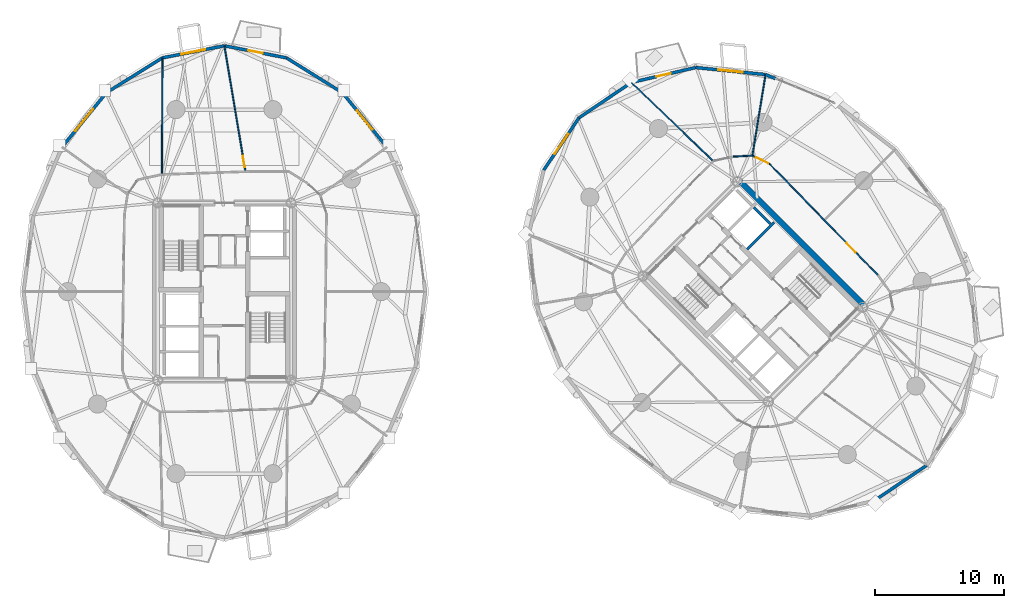
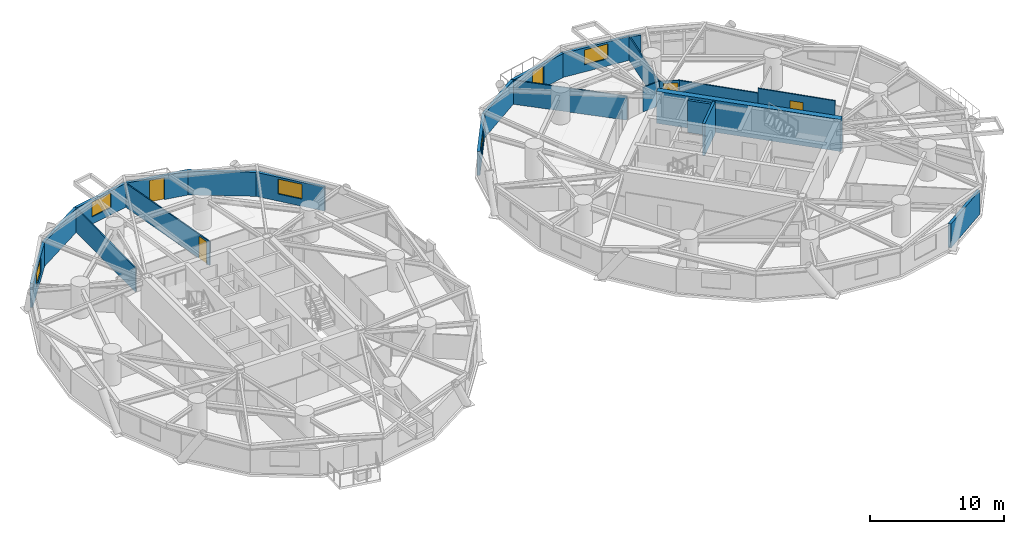
# One storey, part 14 of 18: 23 walls, 5 doors, 5 windows, 10 openings.
"""IFC4 building model written with IfcOpenShell, lengths in metres."""

from ifc_helpers import new_model, si_unit, direction, frame, frame_2d, origin, place, context, subcontext, project, spatial, rectangle, extrude, source, transform, mapped, material, layer, layer_set, type_object, element, fill, save


model = new_model("IFC4")

# Units and contexts
model_context = context("Model", 3, precision=1e-05, world=origin(), true_north=direction((0.0, 1.0)))
body_context = subcontext(model_context, "Body", "Model", "MODEL_VIEW")
ifc_project = project(units=[si_unit("LENGTHUNIT", "METRE"), si_unit("AREAUNIT", "SQUARE_METRE"), si_unit("VOLUMEUNIT", "CUBIC_METRE"), si_unit("PLANEANGLEUNIT", "RADIAN"), si_unit("MASSUNIT", "GRAM", prefix="KILO")], contexts=[model_context])

# Site, building, storey
site_placement = place(None, origin())
site = spatial("IfcSite", under=ifc_project, at=site_placement, CompositionType="ELEMENT")
building_placement = place(site_placement, origin())
building = spatial("IfcBuilding", under=site, at=building_placement, Name="Cununo Teusaquillo Station Towers", CompositionType="ELEMENT")
storey_placement = place(building_placement, frame((0.0, 0.0, 102.159912109375)))
storey = spatial("IfcBuildingStorey", under=building, at=storey_placement, Name="L32", CompositionType="ELEMENT", Elevation=102.159912109375)

# Walls
ifc_material_1 = material(Name="Concrete C50/60", Category="concrete")
ifc_layer_1 = layer(ifc_material_1, 0.199951171875)
ifc_layer_set_1 = layer_set([ifc_layer_1], Name="Concrete C50/60")
wall_type_1 = type_object("IfcWallType", Name="WL-CORE-200", PredefinedType="SHEAR", material=ifc_layer_set_1)
wall_1_placement = place(storey_placement, frame((57.0615234375, 27.781005859375, 0.0), z_axis=(0.0, 0.0, 1.0), x_axis=(0.707106781187, 0.707106781187, 0.0)))
element("IfcWall", 1, at=wall_1_placement, inside=storey, type_object=wall_type_1, Name="L32 Tower B Low-Rise Lift Hoistway South Shear Wall", PredefinedType="SHEAR", context=body_context, shape_type="SweptSolid", body=[
    extrude(rectangle(XDim=2.969970703125, YDim=0.199951171875, at=frame_2d((1.48486328125, 0.0))), origin(), (0.0, 0.0, 1.0), 2.91015625),
])
wall_2_placement = place(storey_placement, frame((58.86474609375, 29.75390625, 0.0), z_axis=(0.0, 0.0, 1.0), x_axis=(-0.707174411312, 0.707039144592, 0.0)))
element("IfcWall", 2, at=wall_2_placement, inside=storey, type_object=wall_type_1, Name="L32 Tower B Low-Rise Lift 1 Shaft Rear Shear Wall", PredefinedType="SHEAR", context=body_context, shape_type="SweptSolid", body=[
    extrude(rectangle(XDim=1.804931640625, YDim=0.199951171875, at=frame_2d((0.90234375, 0.0))), origin(), (0.0, 0.0, 1.0), 2.91015625),
])
ifc_material_2 = material(Name="Concrete C60/75", Category="concrete")
ifc_layer_2 = layer(ifc_material_2, 0.449951171875)
ifc_layer_set_2 = layer_set([ifc_layer_2], Name="Concrete C60/75")
wall_type_2 = type_object("IfcWallType", Name="WL-CORE-450", PredefinedType="SHEAR", material=ifc_layer_set_2)
wall_3_placement = place(storey_placement, frame((66.303466796875, 23.2626953125, 0.0), z_axis=(0.0, 0.0, 1.0), x_axis=(-0.707106781187, 0.707106781187, 0.0)))
element("IfcWall", 3, at=wall_3_placement, inside=storey, type_object=wall_type_2, Name="L32 Tower B Core Shear Wall E", PredefinedType="SHEAR", context=body_context, shape_type="SweptSolid", body=[
    extrude(rectangle(XDim=14.19970703125, YDim=0.449951171875, at=frame_2d((7.099853515625, 0.0))), origin(), (0.0, 0.0, 1.0), 2.91015625),
])

# Wall, opening, window
ifc_material_3 = material(Name="Precast concrete C40/50", Category="concrete")
ifc_layer_3 = layer(ifc_material_3, 0.239990234375)
ifc_layer_set_3 = layer_set([ifc_layer_3], Name="Precast concrete C40/50")
wall_type_3 = type_object("IfcWallType", Name="WL-EXT-240", PredefinedType="SOLIDWALL", material=ifc_layer_set_3)
wall_4_placement = place(storey_placement, frame((25.658203125, 39.927978515625, 0.0), z_axis=(0.0, 0.0, 1.0), x_axis=(0.632700781152, -0.77439635945, 0.0)))
wall_4 = element("IfcWall", 4, at=wall_4_placement, inside=storey, type_object=wall_type_3, Name="L32 Tower A Exterior Facade Wall C02", PredefinedType="SOLIDWALL", context=body_context, shape_type="SweptSolid", body=[
    extrude(rectangle(XDim=5.447998046875, YDim=0.239990234375, at=frame_2d((2.72412109375, 0.0))), origin(), (0.0, 0.0, 1.0), 2.17919921875),
])
shared_shape_1 = source(origin(), body_context, "Body", "SweptSolid", [
    extrude(rectangle(XDim=1.89990234375, YDim=1.35009765625, at=frame_2d((0.949951171875, 0.675048828125))), frame((0.0, 0.1298828125, 0.0), z_axis=(0.0, -1.0, 0.0), x_axis=(1.0, 0.0, 0.0)), (0.0, 0.0, 1.0), 0.260009765625),
])
opening_1_placement = place(wall_4_placement, frame((1.77392578125, 0.0, 0.64990234375)))
opening_1 = element("IfcOpeningElement", 5, at=opening_1_placement, cuts=wall_4, Name="Opening WN-02", PredefinedType="OPENING", context=body_context, shape_type="MappedRepresentation", body=[
    mapped(shared_shape_1, transform((0.0, 0.0, 0.0), x_axis=(1.0, 0.0, 0.0), y_axis=(0.0, 1.0, 0.0), z_axis=(0.0, 0.0, 1.0), scale=1.0)),
])
ifc_material_4 = material(Name="Operable acoustic tinted low-E double glazing", Category="glass")
window_type_1 = type_object("IfcWindowType", Name="WIN-OPER-1900", PartitioningType="DOUBLE_PANEL_VERTICAL", PredefinedType="WINDOW", material=ifc_material_4)
shared_shape_2 = source(origin(), body_context, "Body", "SweptSolid", [
    extrude(rectangle(XDim=1.89990234375, YDim=1.35009765625, at=frame_2d((0.949951171875, 0.675048828125))), frame((0.0, 0.030029296875, 0.0), z_axis=(0.0, -1.0, 0.0), x_axis=(1.0, 0.0, 0.0)), (0.0, 0.0, 1.0), 0.06005859375),
])
window_1_placement = place(opening_1_placement, origin())
window_1 = element("IfcWindow", 6, at=window_1_placement, inside=storey, type_object=window_type_1, Name="L32 Tower A Facade Window C02", OverallHeight=1.35009765625, OverallWidth=1.89990234375, PartitioningType="DOUBLE_PANEL_VERTICAL", PredefinedType="WINDOW", context=body_context, shape_type="MappedRepresentation", body=[
    mapped(shared_shape_2, transform((0.0, 0.0, 0.0), x_axis=(1.0, 0.0, 0.0), y_axis=(0.0, 1.0, 0.0), z_axis=(0.0, 0.0, 1.0), scale=1.0)),
])
fill(opening_1, window_1)

# Wall
wall_5_placement = place(storey_placement, frame((21.314697265625, 42.63671875, 0.0), z_axis=(0.0, 0.0, 1.0), x_axis=(0.848520380187, -0.529162701263, 0.0)))
element("IfcWall", 7, at=wall_5_placement, inside=storey, type_object=wall_type_3, Name="L32 Tower A Exterior Facade Wall C03", PredefinedType="SOLIDWALL", context=body_context, shape_type="SweptSolid", body=[
    extrude(rectangle(XDim=5.118896484375, YDim=0.239990234375, at=frame_2d((2.5595703125, 0.0))), origin(), (0.0, 0.0, 1.0), 2.17919921875),
])

# Wall, opening, door
wall_6_placement = place(storey_placement, frame((16.5, 43.570068359375, 0.0), z_axis=(0.0, 0.0, 1.0), x_axis=(0.981723785992, -0.190311344954, 0.0)))
wall_6 = element("IfcWall", 8, at=wall_6_placement, inside=storey, type_object=wall_type_3, Name="L32 Tower A Exterior Facade Wall C04", PredefinedType="SOLIDWALL", context=body_context, shape_type="SweptSolid", body=[
    extrude(rectangle(XDim=4.904296875, YDim=0.239990234375, at=frame_2d((2.4521484375, 0.0))), origin(), (0.0, 0.0, 1.0), 2.17919921875),
])
shared_shape_3 = source(origin(), body_context, "Body", "SweptSolid", [
    extrude(rectangle(XDim=1.14990234375, YDim=2.0048828125, at=frame_2d((0.574951171875, 1.00244140625))), frame((0.0, 0.1298828125, 0.0), z_axis=(0.0, -1.0, 0.0), x_axis=(1.0, 0.0, 0.0)), (0.0, 0.0, 1.0), 0.260009765625),
])
opening_2_placement = place(wall_6_placement, frame((1.876953125, 0.0, 0.0)))
opening_2 = element("IfcOpeningElement", 9, at=opening_2_placement, cuts=wall_6, Name="Opening ED-03", PredefinedType="OPENING", context=body_context, shape_type="MappedRepresentation", body=[
    mapped(shared_shape_3, transform((0.0, 0.0, 0.0), x_axis=(1.0, 0.0, 0.0), y_axis=(0.0, 1.0, 0.0), z_axis=(0.0, 0.0, 1.0), scale=1.0)),
])
ifc_material_5 = material(Name="Anodised dark bronze aluminium EN AW-6063-T6", Category="aluminium")
door_type_1 = type_object("IfcDoorType", Name="DR-EXT-BAL", OperationType="NOTDEFINED", PredefinedType="DOOR", material=ifc_material_5)
shared_shape_4 = source(origin(), body_context, "Body", "SweptSolid", [
    extrude(rectangle(XDim=1.14990234375, YDim=2.0048828125, at=frame_2d((0.574951171875, 1.00244140625))), frame((0.0, 0.02490234375, 0.0), z_axis=(0.0, -1.0, 0.0), x_axis=(1.0, 0.0, 0.0)), (0.0, 0.0, 1.0), 0.050048828125),
])
door_1_placement = place(opening_2_placement, origin())
door_1 = element("IfcDoor", 10, at=door_1_placement, inside=storey, type_object=door_type_1, Name="L32 Tower A Tree Balcony Door C04", OperationType="SINGLE_SWING_LEFT", OverallHeight=2.0048828125, OverallWidth=1.14990234375, PredefinedType="DOOR", context=body_context, shape_type="MappedRepresentation", body=[
    mapped(shared_shape_4, transform((0.0, 0.0, 0.0), x_axis=(1.0, 0.0, 0.0), y_axis=(0.0, 1.0, 0.0), z_axis=(0.0, 0.0, 1.0), scale=1.0)),
])
fill(opening_2, door_1)

# Wall, opening, window
wall_7_placement = place(storey_placement, frame((11.685302734375, 42.63671875, 0.0), z_axis=(0.0, 0.0, 1.0), x_axis=(0.981723785992, 0.190311344954, 0.0)))
wall_7 = element("IfcWall", 11, at=wall_7_placement, inside=storey, type_object=wall_type_3, Name="L32 Tower A Exterior Facade Wall C05", PredefinedType="SOLIDWALL", context=body_context, shape_type="SweptSolid", body=[
    extrude(rectangle(XDim=4.904296875, YDim=0.239990234375, at=frame_2d((2.4521484375, 0.0))), origin(), (0.0, 0.0, 1.0), 2.17919921875),
])
opening_3_placement = place(wall_7_placement, frame((1.501953125, 0.0, 0.64990234375)))
opening_3 = element("IfcOpeningElement", 12, at=opening_3_placement, cuts=wall_7, Name="Opening WN-02", PredefinedType="OPENING", context=body_context, shape_type="MappedRepresentation", body=[
    mapped(shared_shape_1, transform((0.0, 0.0, 0.0), x_axis=(1.0, 0.0, 0.0), y_axis=(0.0, 1.0, 0.0), z_axis=(0.0, 0.0, 1.0), scale=1.0)),
])
window_2_placement = place(opening_3_placement, origin())
window_2 = element("IfcWindow", 13, at=window_2_placement, inside=storey, type_object=window_type_1, Name="L32 Tower A Facade Window C05", OverallHeight=1.35009765625, OverallWidth=1.89990234375, PartitioningType="DOUBLE_PANEL_VERTICAL", PredefinedType="WINDOW", context=body_context, shape_type="MappedRepresentation", body=[
    mapped(shared_shape_2, transform((0.0, 0.0, 0.0), x_axis=(1.0, 0.0, 0.0), y_axis=(0.0, 1.0, 0.0), z_axis=(0.0, 0.0, 1.0), scale=1.0)),
])
fill(opening_3, window_2)

# Wall
wall_8_placement = place(storey_placement, frame((7.341796875, 39.927978515625, 0.0), z_axis=(0.0, 0.0, 1.0), x_axis=(0.848520380187, 0.529162701263, 0.0)))
element("IfcWall", 14, at=wall_8_placement, inside=storey, type_object=wall_type_3, Name="L32 Tower A Exterior Facade Wall C06", PredefinedType="SOLIDWALL", context=body_context, shape_type="SweptSolid", body=[
    extrude(rectangle(XDim=5.118896484375, YDim=0.239990234375, at=frame_2d((2.5595703125, 0.0))), origin(), (0.0, 0.0, 1.0), 2.17919921875),
])

# Wall, opening, window
wall_9_placement = place(storey_placement, frame((3.894775390625, 35.708984375, 0.0), z_axis=(0.0, 0.0, 1.0), x_axis=(0.632700781152, 0.77439635945, 0.0)))
wall_9 = element("IfcWall", 15, at=wall_9_placement, inside=storey, type_object=wall_type_3, Name="L32 Tower A Exterior Facade Wall C07", PredefinedType="SOLIDWALL", context=body_context, shape_type="SweptSolid", body=[
    extrude(rectangle(XDim=5.447998046875, YDim=0.239990234375, at=frame_2d((2.72412109375, 0.0))), origin(), (0.0, 0.0, 1.0), 2.17919921875),
])
shared_shape_5 = source(origin(), body_context, "Body", "SweptSolid", [
    extrude(rectangle(XDim=2.199951171875, YDim=1.35009765625, at=frame_2d((1.10009765625, 0.675048828125))), frame((0.0, 0.1298828125, 0.0), z_axis=(0.0, -1.0, 0.0), x_axis=(1.0, 0.0, 0.0)), (0.0, 0.0, 1.0), 0.260009765625),
])
opening_4_placement = place(wall_9_placement, frame((1.6240234375, 0.0, 0.64990234375)))
opening_4 = element("IfcOpeningElement", 16, at=opening_4_placement, cuts=wall_9, Name="Opening WN-01", PredefinedType="OPENING", context=body_context, shape_type="MappedRepresentation", body=[
    mapped(shared_shape_5, transform((0.0, 0.0, 0.0), x_axis=(1.0, 0.0, 0.0), y_axis=(0.0, 1.0, 0.0), z_axis=(0.0, 0.0, 1.0), scale=1.0)),
])
ifc_material_6 = material(Name="Ceramic-fritted dark low-E double glazing", Category="glass")
window_type_2 = type_object("IfcWindowType", Name="WIN-FRIT-2200", PartitioningType="DOUBLE_PANEL_VERTICAL", PredefinedType="WINDOW", material=ifc_material_6)
shared_shape_6 = source(origin(), body_context, "Body", "SweptSolid", [
    extrude(rectangle(XDim=2.199951171875, YDim=1.35009765625, at=frame_2d((1.10009765625, 0.675048828125))), frame((0.0, 0.030029296875, 0.0), z_axis=(0.0, -1.0, 0.0), x_axis=(1.0, 0.0, 0.0)), (0.0, 0.0, 1.0), 0.06005859375),
])
window_3_placement = place(opening_4_placement, origin())
window_3 = element("IfcWindow", 17, at=window_3_placement, inside=storey, type_object=window_type_2, Name="L32 Tower A Facade Window C07", OverallHeight=1.35009765625, OverallWidth=2.199951171875, PartitioningType="DOUBLE_PANEL_VERTICAL", PredefinedType="WINDOW", context=body_context, shape_type="MappedRepresentation", body=[
    mapped(shared_shape_6, transform((0.0, 0.0, 0.0), x_axis=(1.0, 0.0, 0.0), y_axis=(0.0, 1.0, 0.0), z_axis=(0.0, 0.0, 1.0), scale=1.0)),
])
fill(opening_4, window_3)

# Wall
wall_10_placement = place(storey_placement, frame((58.4873046875, 41.33935546875, 0.0), z_axis=(0.0, 0.0, 1.0), x_axis=(0.924556017656, -0.381046152345, 0.0)))
element("IfcWall", 18, at=wall_10_placement, inside=storey, type_object=wall_type_3, Name="L32 Tower B Column Pier Cladding Wall C01-PA", PredefinedType="SOLIDWALL", context=body_context, shape_type="SweptSolid", body=[
    extrude(rectangle(XDim=0.8701171875, YDim=0.239990234375, at=frame_2d((0.43505859375, 0.0))), origin(), (0.0, 0.0, 1.0), 2.17919921875),
])

# Wall, opening, window
wall_11_placement = place(storey_placement, frame((53.066650390625, 41.885009765625, 0.0), z_axis=(0.0, 0.0, 1.0), x_axis=(0.994971754311, -0.10015591906, 0.0)))
wall_11 = element("IfcWall", 19, at=wall_11_placement, inside=storey, type_object=wall_type_3, Name="L32 Tower B Exterior Facade Wall C02", PredefinedType="SOLIDWALL", context=body_context, shape_type="SweptSolid", body=[
    extrude(rectangle(XDim=5.447998046875, YDim=0.239990234375, at=frame_2d((2.72412109375, 0.0))), origin(), (0.0, 0.0, 1.0), 2.17919921875),
])
opening_5_placement = place(wall_11_placement, frame((1.77392578125, 0.0, 0.64990234375)))
opening_5 = element("IfcOpeningElement", 20, at=opening_5_placement, cuts=wall_11, Name="Opening WN-02", PredefinedType="OPENING", context=body_context, shape_type="MappedRepresentation", body=[
    mapped(shared_shape_1, transform((0.0, 0.0, 0.0), x_axis=(1.0, 0.0, 0.0), y_axis=(0.0, 1.0, 0.0), z_axis=(0.0, 0.0, 1.0), scale=1.0)),
])
window_4_placement = place(opening_5_placement, origin())
window_4 = element("IfcWindow", 21, at=window_4_placement, inside=storey, type_object=window_type_1, Name="L32 Tower B Facade Window C02", OverallHeight=1.35009765625, OverallWidth=1.89990234375, PartitioningType="DOUBLE_PANEL_VERTICAL", PredefinedType="WINDOW", context=body_context, shape_type="MappedRepresentation", body=[
    mapped(shared_shape_2, transform((0.0, 0.0, 0.0), x_axis=(1.0, 0.0, 0.0), y_axis=(0.0, 1.0, 0.0), z_axis=(0.0, 0.0, 1.0), scale=1.0)),
])
fill(opening_5, window_4)

# Wall, opening, door
wall_12_placement = place(storey_placement, frame((48.080078125, 40.72900390625, 0.0), z_axis=(0.0, 0.0, 1.0), x_axis=(0.974165631126, 0.225834725257, 0.0)))
wall_12 = element("IfcWall", 22, at=wall_12_placement, inside=storey, type_object=wall_type_3, Name="L32 Tower B Exterior Facade Wall C03", PredefinedType="SOLIDWALL", context=body_context, shape_type="SweptSolid", body=[
    extrude(rectangle(XDim=5.118896484375, YDim=0.239990234375, at=frame_2d((2.5595703125, 0.0))), origin(), (0.0, 0.0, 1.0), 2.17919921875),
])
opening_6_placement = place(wall_12_placement, frame((1.98388671875, 0.0, 0.0)))
opening_6 = element("IfcOpeningElement", 23, at=opening_6_placement, cuts=wall_12, Name="Opening ED-03", PredefinedType="OPENING", context=body_context, shape_type="MappedRepresentation", body=[
    mapped(shared_shape_3, transform((0.0, 0.0, 0.0), x_axis=(1.0, 0.0, 0.0), y_axis=(0.0, 1.0, 0.0), z_axis=(0.0, 0.0, 1.0), scale=1.0)),
])
door_2_placement = place(opening_6_placement, origin())
door_2 = element("IfcDoor", 24, at=door_2_placement, inside=storey, type_object=door_type_1, Name="L32 Tower B Tree Balcony Door C03", OperationType="SINGLE_SWING_LEFT", OverallHeight=2.0048828125, OverallWidth=1.14990234375, PredefinedType="DOOR", context=body_context, shape_type="MappedRepresentation", body=[
    mapped(shared_shape_4, transform((0.0, 0.0, 0.0), x_axis=(1.0, 0.0, 0.0), y_axis=(0.0, 1.0, 0.0), z_axis=(0.0, 0.0, 1.0), scale=1.0)),
])
fill(opening_6, door_2)

# Wall
wall_13_placement = place(storey_placement, frame((44.015380859375, 37.984619140625, 0.0), z_axis=(0.0, 0.0, 1.0), x_axis=(0.828781148131, 0.559572880421, 0.0)))
element("IfcWall", 25, at=wall_13_placement, inside=storey, type_object=wall_type_3, Name="L32 Tower B Exterior Facade Wall C04", PredefinedType="SOLIDWALL", context=body_context, shape_type="SweptSolid", body=[
    extrude(rectangle(XDim=4.904541015625, YDim=0.239990234375, at=frame_2d((2.4521484375, 0.0))), origin(), (0.0, 0.0, 1.0), 2.17919921875),
])

# Wall, opening, window
wall_14_placement = place(storey_placement, frame((41.27099609375, 33.919921875, 0.0), z_axis=(0.0, 0.0, 1.0), x_axis=(0.559572880421, 0.828781148131, 0.0)))
wall_14 = element("IfcWall", 26, at=wall_14_placement, inside=storey, type_object=wall_type_3, Name="L32 Tower B Exterior Facade Wall C05", PredefinedType="SOLIDWALL", context=body_context, shape_type="SweptSolid", body=[
    extrude(rectangle(XDim=4.904541015625, YDim=0.239990234375, at=frame_2d((2.4521484375, 0.0))), origin(), (0.0, 0.0, 1.0), 2.17919921875),
])
opening_7_placement = place(wall_14_placement, frame((1.501953125, 0.0, 0.64990234375)))
opening_7 = element("IfcOpeningElement", 27, at=opening_7_placement, cuts=wall_14, Name="Opening WN-02", PredefinedType="OPENING", context=body_context, shape_type="MappedRepresentation", body=[
    mapped(shared_shape_1, transform((0.0, 0.0, 0.0), x_axis=(1.0, 0.0, 0.0), y_axis=(0.0, 1.0, 0.0), z_axis=(0.0, 0.0, 1.0), scale=1.0)),
])
window_5_placement = place(opening_7_placement, origin())
window_5 = element("IfcWindow", 28, at=window_5_placement, inside=storey, type_object=window_type_1, Name="L32 Tower B Facade Window C05", OverallHeight=1.35009765625, OverallWidth=1.89990234375, PartitioningType="DOUBLE_PANEL_VERTICAL", PredefinedType="WINDOW", context=body_context, shape_type="MappedRepresentation", body=[
    mapped(shared_shape_2, transform((0.0, 0.0, 0.0), x_axis=(1.0, 0.0, 0.0), y_axis=(0.0, 1.0, 0.0), z_axis=(0.0, 0.0, 1.0), scale=1.0)),
])
fill(opening_7, window_5)

# Walls
wall_15_placement = place(storey_placement, frame((70.984619140625, 11.015380859375, 0.0), z_axis=(0.0, 0.0, 1.0), x_axis=(-0.828781148131, -0.559572880421, 0.0)))
element("IfcWall", 29, at=wall_15_placement, inside=storey, type_object=wall_type_3, Name="L32 Tower B Exterior Facade Wall C14", PredefinedType="SOLIDWALL", context=body_context, shape_type="SweptSolid", body=[
    extrude(rectangle(XDim=4.904541015625, YDim=0.239990234375, at=frame_2d((2.4521484375, 0.0))), origin(), (0.0, 0.0, 1.0), 2.17919921875),
])
ifc_material_7 = material(Name="Fire-rated gypsum plasterboard partition assembly", Category="gypsum")
ifc_layer_4 = layer(ifc_material_7, 0.10009765625)
ifc_layer_set_4 = layer_set([ifc_layer_4], Name="Fire-rated gypsum plasterboard partition assembly")
wall_type_4 = type_object("IfcWallType", Name="WL-PART-100", PredefinedType="MOVABLE", material=ifc_layer_set_4)
wall_16_placement = place(storey_placement, frame((11.650390625, 33.587890625, 0.0), z_axis=(0.0, 0.0, 1.0), x_axis=(0.004542212376, 0.9999896841, 0.0)))
element("IfcWall", 30, at=wall_16_placement, inside=storey, type_object=wall_type_4, Name="L32 Tower A Radial Suite Partition R03", PredefinedType="MOVABLE", context=body_context, shape_type="SweptSolid", body=[
    extrude(rectangle(XDim=9.02978515625, YDim=0.10009765625, at=frame_2d((4.514892578125, 0.0))), origin(), (0.0, 0.0, 1.0), 2.17919921875),
])

# Wall, opening, door
wall_17_placement = place(storey_placement, frame((18.1328125, 33.8095703125, 0.0), z_axis=(0.0, 0.0, 1.0), x_axis=(-0.165324898919, 0.98623915852, 0.0)))
wall_17 = element("IfcWall", 31, at=wall_17_placement, inside=storey, type_object=wall_type_4, Name="L32 Tower A Quantitative Risk Analytics Practice Suite Subdividing Wall", PredefinedType="MOVABLE", context=body_context, shape_type="SweptSolid", body=[
    extrude(rectangle(XDim=9.87646484375, YDim=0.10009765625, at=frame_2d((4.938232421875, 0.0))), origin(), (0.0, 0.0, 1.0), 2.17919921875),
])
shared_shape_7 = source(origin(), body_context, "Body", "SweptSolid", [
    extrude(rectangle(XDim=0.89990234375, YDim=2.0048828125, at=frame_2d((0.449951171875, 1.00244140625))), frame((0.0, 0.06005859375, 0.0), z_axis=(0.0, -1.0, 0.0), x_axis=(1.0, 0.0, 0.0)), (0.0, 0.0, 1.0), 0.1201171875),
])
opening_8_placement = place(wall_17_placement, frame((0.330078125, 0.0, 0.0)))
opening_8 = element("IfcOpeningElement", 32, at=opening_8_placement, cuts=wall_17, Name="Opening D-IN1", PredefinedType="OPENING", context=body_context, shape_type="MappedRepresentation", body=[
    mapped(shared_shape_7, transform((0.0, 0.0, 0.0), x_axis=(1.0, 0.0, 0.0), y_axis=(0.0, 1.0, 0.0), z_axis=(0.0, 0.0, 1.0), scale=1.0)),
])
ifc_material_8 = material(Name="Acoustic solid-core hardwood leaf assembly", Category="wood")
door_type_2 = type_object("IfcDoorType", Name="DR-INT-900", OperationType="NOTDEFINED", PredefinedType="DOOR", material=ifc_material_8)
shared_shape_8 = source(origin(), body_context, "Body", "SweptSolid", [
    extrude(rectangle(XDim=0.89990234375, YDim=2.0048828125, at=frame_2d((0.449951171875, 1.00244140625))), frame((0.0, 0.02490234375, 0.0), z_axis=(0.0, -1.0, 0.0), x_axis=(1.0, 0.0, 0.0)), (0.0, 0.0, 1.0), 0.050048828125),
])
door_3_placement = place(opening_8_placement, origin())
door_3 = element("IfcDoor", 33, at=door_3_placement, inside=storey, type_object=door_type_2, Name="L32 Tower A Quantitative Risk Analytics Practice Suite Connecting Door", OperationType="SINGLE_SWING_LEFT", OverallHeight=2.0048828125, OverallWidth=0.89990234375, PredefinedType="DOOR", context=body_context, shape_type="MappedRepresentation", body=[
    mapped(shared_shape_8, transform((0.0, 0.0, 0.0), x_axis=(1.0, 0.0, 0.0), y_axis=(0.0, 1.0, 0.0), z_axis=(0.0, 0.0, 1.0), scale=1.0)),
])
fill(opening_8, door_3)

# Wall
wall_18_placement = place(storey_placement, frame((63.05078125, 30.05078125, 0.0), z_axis=(0.0, 0.0, 1.0), x_axis=(-0.698911483116, 0.715208178622, 0.0)))
element("IfcWall", 34, at=wall_18_placement, inside=storey, type_object=wall_type_4, Name="L32 Tower B Corridor Ring Wall C00", PredefinedType="MOVABLE", context=body_context, shape_type="SweptSolid", body=[
    extrude(rectangle(XDim=6.082275390625, YDim=0.10009765625, at=frame_2d((3.041015625, 0.0))), origin(), (0.0, 0.0, 1.0), 2.22509765625),
])

# Wall, opening, door
wall_19_placement = place(storey_placement, frame((58.7998046875, 34.40087890625, 0.0), z_axis=(0.0, 0.0, 1.0), x_axis=(-0.899620612635, 0.436672363818, 0.0)))
wall_19 = element("IfcWall", 35, at=wall_19_placement, inside=storey, type_object=wall_type_4, Name="L32 Tower B Corridor Ring Wall C01", PredefinedType="MOVABLE", context=body_context, shape_type="SweptSolid", body=[
    extrude(rectangle(XDim=1.486572265625, YDim=0.10009765625, at=frame_2d((0.7431640625, 0.0))), origin(), (0.0, 0.0, 1.0), 2.22509765625),
])
shared_shape_9 = source(origin(), body_context, "Body", "SweptSolid", [
    extrude(rectangle(XDim=1.050048828125, YDim=2.014892578125, at=frame_2d((0.52490234375, 1.00732421875))), frame((0.0, 0.06005859375, 0.0), z_axis=(0.0, -1.0, 0.0), x_axis=(1.0, 0.0, 0.0)), (0.0, 0.0, 1.0), 0.1201171875),
])
opening_9_placement = place(wall_19_placement, frame((0.1201171875, 0.0, 0.0)))
opening_9 = element("IfcOpeningElement", 36, at=opening_9_placement, cuts=wall_19, Name="Opening D-SU1", PredefinedType="OPENING", context=body_context, shape_type="MappedRepresentation", body=[
    mapped(shared_shape_9, transform((0.0, 0.0, 0.0), x_axis=(1.0, 0.0, 0.0), y_axis=(0.0, 1.0, 0.0), z_axis=(0.0, 0.0, 1.0), scale=1.0)),
])
ifc_material_9 = material(Name="Acoustic solid-core hardwood leaf assembly", Category="wood")
door_type_3 = type_object("IfcDoorType", Name="DR-SUITE-1050", OperationType="NOTDEFINED", PredefinedType="DOOR", material=ifc_material_9)
shared_shape_10 = source(origin(), body_context, "Body", "SweptSolid", [
    extrude(rectangle(XDim=1.050048828125, YDim=2.014892578125, at=frame_2d((0.52490234375, 1.00732421875))), frame((0.0, 0.02490234375, 0.0), z_axis=(0.0, -1.0, 0.0), x_axis=(1.0, 0.0, 0.0)), (0.0, 0.0, 1.0), 0.050048828125),
])
door_4_placement = place(opening_9_placement, origin())
door_4 = element("IfcDoor", 37, at=door_4_placement, inside=storey, type_object=door_type_3, Name="L32 Tower B Equities & Carbon Desk Trading Hall Entrance Door", OperationType="SINGLE_SWING_LEFT", OverallHeight=2.014892578125, OverallWidth=1.050048828125, PredefinedType="DOOR", context=body_context, shape_type="MappedRepresentation", body=[
    mapped(shared_shape_10, transform((0.0, 0.0, 0.0), x_axis=(1.0, 0.0, 0.0), y_axis=(0.0, 1.0, 0.0), z_axis=(0.0, 0.0, 1.0), scale=1.0)),
])
fill(opening_9, door_4)

# Wall
wall_20_placement = place(storey_placement, frame((57.46240234375, 35.050048828125, 0.0), z_axis=(0.0, 0.0, 1.0), x_axis=(-0.998677016607, -0.051421945723, 0.0)))
element("IfcWall", 38, at=wall_20_placement, inside=storey, type_object=wall_type_4, Name="L32 Tower B Corridor Ring Wall C02", PredefinedType="MOVABLE", context=body_context, shape_type="SweptSolid", body=[
    extrude(rectangle(XDim=1.4765625, YDim=0.10009765625, at=frame_2d((0.73828125, 0.0))), origin(), (0.0, 0.0, 1.0), 2.22509765625),
])

# Wall, opening, door
wall_21_placement = place(storey_placement, frame((67.212646484375, 25.76806640625, 0.0), z_axis=(0.0, 0.0, 1.0), x_axis=(-0.696916079748, 0.717152687918, 0.0)))
wall_21 = element("IfcWall", 39, at=wall_21_placement, inside=storey, type_object=wall_type_4, Name="L32 Tower B Corridor Ring Wall C19", PredefinedType="MOVABLE", context=body_context, shape_type="SweptSolid", body=[
    extrude(rectangle(XDim=5.971923828125, YDim=0.10009765625, at=frame_2d((2.98583984375, 0.0))), origin(), (0.0, 0.0, 1.0), 2.655029296875),
])
shared_shape_11 = source(origin(), body_context, "Body", "SweptSolid", [
    extrude(rectangle(XDim=1.0, YDim=2.014892578125, at=frame_2d((0.5, 1.00732421875))), frame((0.0, 0.06005859375, 0.0), z_axis=(0.0, -1.0, 0.0), x_axis=(1.0, 0.0, 0.0)), (0.0, 0.0, 1.0), 0.1201171875),
])
opening_10_placement = place(wall_21_placement, frame((2.486083984375, 0.0, 0.0)))
opening_10 = element("IfcOpeningElement", 40, at=opening_10_placement, cuts=wall_21, Name="Opening D-AC1", PredefinedType="OPENING", context=body_context, shape_type="MappedRepresentation", body=[
    mapped(shared_shape_11, transform((0.0, 0.0, 0.0), x_axis=(1.0, 0.0, 0.0), y_axis=(0.0, 1.0, 0.0), z_axis=(0.0, 0.0, 1.0), scale=1.0)),
])
ifc_material_10 = material(Name="Acoustic solid-core hardwood leaf assembly", Category="wood")
door_type_4 = type_object("IfcDoorType", Name="DR-ACC-1000", OperationType="NOTDEFINED", PredefinedType="DOOR", material=ifc_material_10)
shared_shape_12 = source(origin(), body_context, "Body", "SweptSolid", [
    extrude(rectangle(XDim=1.0, YDim=2.014892578125, at=frame_2d((0.5, 1.00732421875))), frame((0.0, 0.02490234375, 0.0), z_axis=(0.0, -1.0, 0.0), x_axis=(1.0, 0.0, 0.0)), (0.0, 0.0, 1.0), 0.050048828125),
])
door_5_placement = place(opening_10_placement, origin())
door_5 = element("IfcDoor", 41, at=door_5_placement, inside=storey, type_object=door_type_4, Name="L32 Tower B Public Accessible Restroom WC Entrance Door", OperationType="SINGLE_SWING_RIGHT", OverallHeight=2.014892578125, OverallWidth=1.0, PredefinedType="DOOR", context=body_context, shape_type="MappedRepresentation", body=[
    mapped(shared_shape_12, transform((0.0, 0.0, 0.0), x_axis=(1.0, 0.0, 0.0), y_axis=(0.0, 1.0, 0.0), z_axis=(0.0, 0.0, 1.0), scale=1.0)),
])
fill(opening_10, door_5)

# Walls
wall_22_placement = place(storey_placement, frame((57.46240234375, 35.050048828125, 0.0), z_axis=(0.0, 0.0, 1.0), x_axis=(0.160845392798, 0.98697961459, 0.0)))
element("IfcWall", 42, at=wall_22_placement, inside=storey, type_object=wall_type_4, Name="L32 Tower B Radial Suite Partition R02", PredefinedType="MOVABLE", context=body_context, shape_type="SweptSolid", body=[
    extrude(rectangle(XDim=6.352294921875, YDim=0.10009765625, at=frame_2d((3.17626953125, 0.0))), origin(), (0.0, 0.0, 1.0), 2.17919921875),
])
wall_23_placement = place(storey_placement, frame((54.439697265625, 34.626220703125, 0.0), z_axis=(0.0, 0.0, 1.0), x_axis=(-0.722045979822, 0.691845071547, 0.0)))
element("IfcWall", 43, at=wall_23_placement, inside=storey, type_object=wall_type_4, Name="L32 Tower B Radial Suite Partition R03", PredefinedType="MOVABLE", context=body_context, shape_type="SweptSolid", body=[
    extrude(rectangle(XDim=8.795166015625, YDim=0.10009765625, at=frame_2d((4.3974609375, 0.0))), origin(), (0.0, 0.0, 1.0), 2.17919921875),
])

save(model, "model.ifc")
